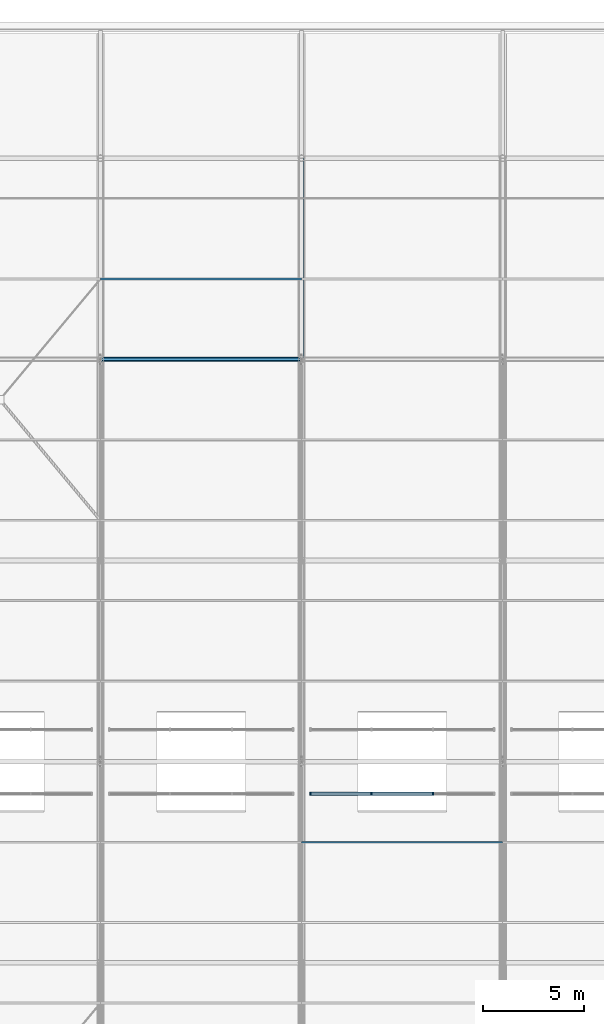
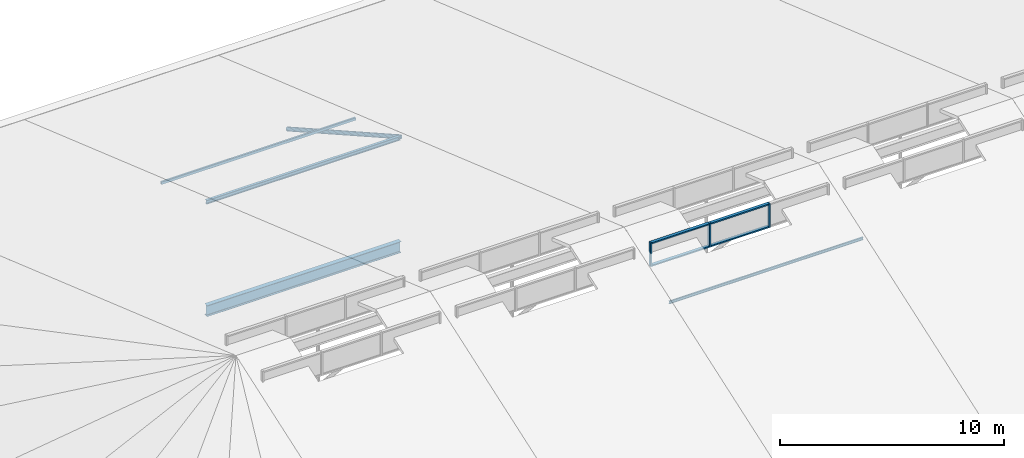
# One storey, part 36 of 93: 11 members, 1 beam, 1 element without a shape of its own.
"""IFC4 building model written with IfcOpenShell, lengths in metres."""

import ifcopenshell
import ifcopenshell.guid

model = None  # the IFC model being written
_history = None  # IfcOwnerHistory: only IFC2X3 demands one
_inside = {}  # id of a spatial element -> (the spatial element, [elements in it])
_under = {}  # id of a project, library or spatial element -> (it, [spatial elements below it])
_declared = {}  # id of a project -> (the project, [libraries it declares])
_typed = {}  # id of a type object -> (the type object, [elements of that type])
_made_of = {}  # id of a material, layer set ... -> (it, [elements and type objects made of it])


def new_model(schema):
    """Start an empty IFC model of exactly this schema.

    Asked for "IFC4X3", IfcOpenShell would pick the latest addendum, in which some entities
    have other attributes; the version numbers below select the first issue.
    IFC2X3 requires an IfcOwnerHistory on every rooted entity: one is made here for all.
    """
    global model, _history
    if schema == "IFC4X3":
        model = ifcopenshell.file(schema_version=(4, 3, 0, 0))
    else:
        model = ifcopenshell.file(schema=schema)
    _inside.clear()
    _under.clear()
    _declared.clear()
    _typed.clear()
    _made_of.clear()
    _history = None
    if model.schema == "IFC2X3":
        org = make("IfcOrganization", Name="unknown")
        user = make(
            "IfcPersonAndOrganization",
            ThePerson=make("IfcPerson", FamilyName="unknown"),
            TheOrganization=org,
        )
        app = make(
            "IfcApplication",
            ApplicationDeveloper=org,
            Version="unknown",
            ApplicationFullName="unknown",
            ApplicationIdentifier="unknown",
        )
        _history = make(
            "IfcOwnerHistory",
            OwningUser=user,
            OwningApplication=app,
            ChangeAction="ADDED",
            CreationDate=0,
        )
    return model


def make(cls, **values):
    """One entity of the class cls with the attributes given. An attribute that is None is left unset."""
    return model.create_entity(
        cls, **{name: value for name, value in values.items() if value is not None}
    )


def rooted(cls, **values):
    """An entity with a GlobalId (a new one), such as an element, a storey or a relation."""
    return make(cls, GlobalId=ifcopenshell.guid.new(), OwnerHistory=_history, **values)


def si_unit(unit_type, name, prefix=None):
    """IfcSIUnit, for example si_unit("LENGTHUNIT", "METRE", prefix="MILLI")."""
    return make("IfcSIUnit", UnitType=unit_type, Prefix=prefix, Name=name)


def derived_unit(unit_type, elements):
    """IfcDerivedUnit: a product of units, each with its exponent."""
    return make(
        "IfcDerivedUnit",
        Elements=[
            make("IfcDerivedUnitElement", Unit=unit, Exponent=power)
            for unit, power in elements
        ],
        UnitType=unit_type,
    )


def assignment(units):
    """IfcUnitAssignment: the units of a project."""
    return None if units is None else make("IfcUnitAssignment", Units=units)


def point(xyz):
    """IfcCartesianPoint."""
    return None if xyz is None else make("IfcCartesianPoint", Coordinates=xyz)


def direction(xyz):
    """IfcDirection."""
    return None if xyz is None else make("IfcDirection", DirectionRatios=xyz)


def frame(location, z_axis=None, x_axis=None):
    """IfcAxis2Placement3D, a coordinate frame: its origin and axes. An axis left out is left unset."""
    return make(
        "IfcAxis2Placement3D",
        Location=point(location),
        Axis=direction(z_axis),
        RefDirection=direction(x_axis),
    )


def frame_2d(location, x_axis=None):
    """IfcAxis2Placement2D, a coordinate frame in the plane: its origin and x axis."""
    return make(
        "IfcAxis2Placement2D", Location=point(location), RefDirection=direction(x_axis)
    )


def origin():
    """The frame at (0, 0, 0) with its axes left unset."""
    return frame((0.0, 0.0, 0.0))


def origin_2d_with_axis():
    """The frame at (0, 0) in the plane with the x axis (1, 0) written out."""
    return frame_2d((0.0, 0.0), x_axis=(1.0, 0.0))


def place(relative_to, where):
    """IfcLocalPlacement: puts the frame where relative to a parent placement (None: the world)."""
    return make(
        "IfcLocalPlacement", PlacementRelTo=relative_to, RelativePlacement=where
    )


def context(
    kind, dimensions, precision=None, world=None, true_north=None, identifier=None
):
    """IfcGeometricRepresentationContext, for example the 3D "Model" context."""
    return make(
        "IfcGeometricRepresentationContext",
        ContextIdentifier=identifier,
        ContextType=kind,
        CoordinateSpaceDimension=dimensions,
        Precision=precision,
        WorldCoordinateSystem=world,
        TrueNorth=true_north,
    )


def subcontext(parent, identifier, kind, view, scale=None):
    """IfcGeometricRepresentationSubContext, for example "Body" below "Model"."""
    return make(
        "IfcGeometricRepresentationSubContext",
        ContextIdentifier=identifier,
        ContextType=kind,
        ParentContext=parent,
        TargetScale=scale,
        TargetView=view,
    )


def project(units=None, contexts=None):
    """IfcProject with its units and contexts."""
    return rooted(
        "IfcProject",
        Name="project",
        RepresentationContexts=contexts,
        UnitsInContext=assignment(units),
    )


def spatial(cls, under=None, at=None, **own):
    """A site, building, storey or space (cls), placed at a placement, below another one or the project."""
    s = rooted(cls, ObjectPlacement=at, **own)
    if under is not None:
        _under.setdefault(under.id(), (under, []))[1].append(s)
    return s


def profile(cls, at=None, kind="AREA", **sizes):
    """A parametric profile (cls). Its sizes go by their IFC names, for example OverallWidth=200.0."""
    return make(cls, ProfileType=kind, Position=at, **sizes)


def rectangle(**sizes):
    """IfcRectangleProfileDef."""
    return profile("IfcRectangleProfileDef", **sizes)


def hollow_rectangle(**sizes):
    """IfcRectangleHollowProfileDef."""
    return profile("IfcRectangleHollowProfileDef", **sizes)


def hollow_circle(**sizes):
    """IfcCircleHollowProfileDef."""
    return profile("IfcCircleHollowProfileDef", **sizes)


def i_section(**sizes):
    """IfcIShapeProfileDef."""
    return profile("IfcIShapeProfileDef", **sizes)


def extrude(swept, where, along, depth):
    """IfcExtrudedAreaSolid: the profile swept, set in the frame where, extruded along a direction by depth."""
    return make(
        "IfcExtrudedAreaSolid",
        SweptArea=swept,
        Position=where,
        ExtrudedDirection=direction(along),
        Depth=depth,
    )


def shape(context_of_items, identifier, shape_type, items):
    """IfcShapeRepresentation: the items that make up one representation, for example the "Body"."""
    return make(
        "IfcShapeRepresentation",
        ContextOfItems=context_of_items,
        RepresentationIdentifier=identifier,
        RepresentationType=shape_type,
        Items=items,
    )


def material(Name=None, Category=None):
    """IfcMaterial."""
    return make("IfcMaterial", Name=Name, Category=Category)


def material_profile(
    of_material, cross_section, Name=None, Category=None, Priority=None
):
    """IfcMaterialProfile: a cross section and its material."""
    return make(
        "IfcMaterialProfile",
        Name=Name,
        Material=of_material,
        Profile=cross_section,
        Priority=Priority,
        Category=Category,
    )


def profile_set(profiles, Name=None, composite=None):
    """IfcMaterialProfileSet."""
    return make(
        "IfcMaterialProfileSet",
        Name=Name,
        MaterialProfiles=profiles,
        CompositeProfile=composite,
    )


def made_of(thing, what):
    """Note that an element or type object is made of a material, layer set ...; save() writes the relation."""
    if what is not None:
        _made_of.setdefault(what.id(), (what, []))[1].append(thing)
    return thing


def type_object(cls, material=None, **own):
    """A type object (cls), such as IfcWallType, which elements share."""
    return made_of(rooted(cls, **own), material)


def element(
    cls,
    number,
    at=None,
    inside=None,
    cuts=None,
    type_object=None,
    material=None,
    context=None,
    identifier="Body",
    shape_type=None,
    held_by="IfcProductDefinitionShape",
    body=None,
    shapes=None,
    **own,
):
    """One element of the class cls, such as IfcWall. Its Tag is "e" and its number.

    at: its placement. inside: the storey or other place that contains it. cuts: it is an
    opening in that element (IfcRelVoidsElement). A single representation is given by context,
    identifier, shape_type and body (its items); several are given by shapes. held_by: the class
    of the entity that holds the representations. save() writes the other relations.
    """
    e = rooted(cls, Tag="e%d" % number, ObjectPlacement=at, **own)
    if body is not None:
        shapes = [shape(context, identifier, shape_type, body)]
    if shapes is not None:
        e.Representation = make(held_by, Representations=shapes)
    if inside is not None:
        _inside.setdefault(inside.id(), (inside, []))[1].append(e)
    if cuts is not None:
        rooted(
            "IfcRelVoidsElement", RelatingBuildingElement=cuts, RelatedOpeningElement=e
        )
    if type_object is not None:
        _typed.setdefault(type_object.id(), (type_object, []))[1].append(e)
    return made_of(e, material)


def aggregate(whole, parts):
    """IfcRelAggregates: a whole, such as a stair, and the parts it consists of."""
    return rooted("IfcRelAggregates", RelatingObject=whole, RelatedObjects=parts)


def save(model, path):
    """Write the relations noted so far, then the file.

    IfcRelAggregates (storeys below a building ...), IfcRelContainedInSpatialStructure (elements
    in a storey), IfcRelDefinesByType, IfcRelAssociatesMaterial and IfcRelDeclares: one each for
    every whole, place, type object, material and project.
    """
    for whole, parts in _under.values():
        aggregate(whole, parts)
    for where, things in _inside.values():
        rooted(
            "IfcRelContainedInSpatialStructure",
            RelatedElements=things,
            RelatingStructure=where,
        )
    for kind, things in _typed.values():
        rooted("IfcRelDefinesByType", RelatedObjects=things, RelatingType=kind)
    for what, things in _made_of.values():
        rooted("IfcRelAssociatesMaterial", RelatedObjects=things, RelatingMaterial=what)
    for by, libraries in _declared.values():
        rooted("IfcRelDeclares", RelatingContext=by, RelatedDefinitions=libraries)
    model.write(path)


model = new_model("IFC4")

# Units and contexts
model_context = context("Model", 3, precision=1e-05, world=origin(), true_north=direction((0.0, 1.0)))
body_context = subcontext(model_context, "Body", "Model", "MODEL_VIEW")
ifc_project = project(units=[si_unit("LENGTHUNIT", "METRE"), si_unit("AREAUNIT", "SQUARE_METRE"), si_unit("VOLUMEUNIT", "CUBIC_METRE"), si_unit("PLANEANGLEUNIT", "RADIAN"), si_unit("MASSUNIT", "GRAM", prefix="KILO"), derived_unit("THERMALTRANSMITTANCEUNIT", [(si_unit("POWERUNIT", "WATT"), 1), (si_unit("LENGTHUNIT", "METRE"), -2), (si_unit("THERMODYNAMICTEMPERATUREUNIT", "KELVIN"), -1)])], contexts=[model_context])

# Site, building, storey
site_placement = place(None, origin())
site = spatial("IfcSite", under=ifc_project, at=site_placement, CompositionType="ELEMENT")
building_placement = place(site_placement, origin())
building = spatial("IfcBuilding", under=site, at=building_placement, Name="Cinnabar Yard Market Hall", CompositionType="ELEMENT")
storey_placement = place(building_placement, frame((0.0, 0.0, 23.800048828125)))
storey = spatial("IfcBuildingStorey", under=building, at=storey_placement, Name="ROOF", CompositionType="ELEMENT", Elevation=23.800048828125)

# Beam
ifc_material_1 = material(Name="Steel Grade 300 (300 MPa)", Category="steel")
ifc_material_profile_1 = material_profile(ifc_material_1, i_section(OverallWidth=0.22802734375, OverallDepth=0.60205078125, WebThickness=0.010498046875, FlangeThickness=0.014892578125, FilletRadius=0.013916015625, at=origin_2d_with_axis()), Name="610UB101")
ifc_profile_set_1 = profile_set([ifc_material_profile_1], Name="Steel Grade 300 (300 MPa)")
beam_type = type_object("IfcBeamType", Name="BM-B02", PredefinedType="BEAM", material=ifc_profile_set_1)
beam_placement = place(storey_placement, frame((96.0, 64.0, -9.700927734375), z_axis=(1.0, 0.0, 0.0), x_axis=(0.0, 1.0, 0.0)))
element("IfcBeam", 1, at=beam_placement, inside=storey, type_object=beam_type, Name="Hall Longitudinal Tie Girder 00406", PredefinedType="BEAM", context=body_context, shape_type="SweptSolid", body=[
    extrude(i_section(OverallWidth=0.22802734375, OverallDepth=0.60205078125, WebThickness=0.010498046875, FlangeThickness=0.014892578125, FilletRadius=0.013916015625, at=origin_2d_with_axis()), origin(), (0.0, 0.0, 1.0), 10.0),
])

# Curtain wall, members
ifc_material_2 = material(Name="Anodised aluminium ridge clerestory", Category="aluminium")
curtain_wall_type = type_object("IfcCurtainWallType", Name="CW-CWR092x13", PredefinedType="NOTDEFINED", material=ifc_material_2)
curtain_wall_placement = place(storey_placement, origin())
curtain_wall = element("IfcCurtainWall", 2, at=curtain_wall_placement, inside=storey, type_object=curtain_wall_type, Name="South Ridge Clerestory 3", PredefinedType="NOTDEFINED")
ifc_material_3 = material(Name="Anodised bronze aluminium", Category="aluminium")
ifc_material_profile_2 = material_profile(ifc_material_3, rectangle(XDim=0.159912109375, YDim=0.070068359375, at=origin_2d_with_axis()), Name="MUL-CWR")
ifc_profile_set_2 = profile_set([ifc_material_profile_2], Name="Anodised bronze aluminium")
member_type_1 = type_object("IfcMemberType", Name="CWM-CWR", PredefinedType="MULLION", material=ifc_profile_set_2)
member_1_placement = place(storey_placement, frame((106.43505859375, 42.39990234375, 2.14990234375), z_axis=(0.0, 0.0, 1.0), x_axis=(0.0, 1.0, 0.0)))
member_1 = element("IfcMember", 3, at=member_1_placement, type_object=member_type_1, Name="CWR092x13 mullion 1", PredefinedType="MULLION", context=body_context, shape_type="SweptSolid", body=[
    extrude(rectangle(XDim=0.159912109375, YDim=0.070068359375, at=origin_2d_with_axis()), origin(), (0.0, 0.0, 1.0), 1.300048828125),
])
member_2_placement = place(storey_placement, frame((109.466552734375, 42.39990234375, 2.14990234375), z_axis=(0.0, 0.0, 1.0), x_axis=(0.0, 1.0, 0.0)))
member_2 = element("IfcMember", 4, at=member_2_placement, type_object=member_type_1, Name="CWR092x13 mullion 2", PredefinedType="MULLION", context=body_context, shape_type="SweptSolid", body=[
    extrude(rectangle(XDim=0.159912109375, YDim=0.070068359375, at=origin_2d_with_axis()), origin(), (0.0, 0.0, 1.0), 1.300048828125),
])
member_3_placement = place(storey_placement, frame((112.533447265625, 42.39990234375, 2.14990234375), z_axis=(0.0, 0.0, 1.0), x_axis=(0.0, 1.0, 0.0)))
member_3 = element("IfcMember", 5, at=member_3_placement, type_object=member_type_1, Name="CWR092x13 mullion 3", PredefinedType="MULLION", context=body_context, shape_type="SweptSolid", body=[
    extrude(rectangle(XDim=0.159912109375, YDim=0.070068359375, at=origin_2d_with_axis()), origin(), (0.0, 0.0, 1.0), 1.300048828125),
])
ifc_material_profile_3 = material_profile(ifc_material_3, rectangle(XDim=0.159912109375, YDim=0.070068359375, at=origin_2d_with_axis()), Name="TRN-CWR")
ifc_profile_set_3 = profile_set([ifc_material_profile_3], Name="Anodised bronze aluminium")
member_type_2 = type_object("IfcMemberType", Name="CWT-CWR", PredefinedType="USERDEFINED", material=ifc_profile_set_3)
member_4_placement = place(storey_placement, frame((106.469970703125, 42.39990234375, 2.18505859375), z_axis=(1.0, 0.0, 0.0), x_axis=(0.0, 1.0, 0.0)))
member_4 = element("IfcMember", 6, at=member_4_placement, type_object=member_type_2, Name="CWR092x13 transom 1.1", ObjectType="TRANSOM", PredefinedType="USERDEFINED", context=body_context, shape_type="SweptSolid", body=[
    extrude(rectangle(XDim=0.159912109375, YDim=0.070068359375, at=origin_2d_with_axis()), origin(), (0.0, 0.0, 1.0), 2.961669921875),
])
member_5_placement = place(storey_placement, frame((106.469970703125, 42.39990234375, 3.4150390625), z_axis=(1.0, 0.0, 0.0), x_axis=(0.0, 1.0, 0.0)))
member_5 = element("IfcMember", 7, at=member_5_placement, type_object=member_type_2, Name="CWR092x13 transom 1.2", ObjectType="TRANSOM", PredefinedType="USERDEFINED", context=body_context, shape_type="SweptSolid", body=[
    extrude(rectangle(XDim=0.159912109375, YDim=0.070068359375, at=origin_2d_with_axis()), origin(), (0.0, 0.0, 1.0), 2.961669921875),
])
member_6_placement = place(storey_placement, frame((109.501708984375, 42.39990234375, 2.18505859375), z_axis=(1.0, 0.0, 0.0), x_axis=(0.0, 1.0, 0.0)))
member_6 = element("IfcMember", 8, at=member_6_placement, type_object=member_type_2, Name="CWR092x13 transom 2.1", ObjectType="TRANSOM", PredefinedType="USERDEFINED", context=body_context, shape_type="SweptSolid", body=[
    extrude(rectangle(XDim=0.159912109375, YDim=0.070068359375, at=origin_2d_with_axis()), origin(), (0.0, 0.0, 1.0), 2.99658203125),
])
member_7_placement = place(storey_placement, frame((109.501708984375, 42.39990234375, 3.4150390625), z_axis=(1.0, 0.0, 0.0), x_axis=(0.0, 1.0, 0.0)))
member_7 = element("IfcMember", 9, at=member_7_placement, type_object=member_type_2, Name="CWR092x13 transom 2.2", ObjectType="TRANSOM", PredefinedType="USERDEFINED", context=body_context, shape_type="SweptSolid", body=[
    extrude(rectangle(XDim=0.159912109375, YDim=0.070068359375, at=origin_2d_with_axis()), origin(), (0.0, 0.0, 1.0), 2.99658203125),
])
aggregate(curtain_wall, [member_1, member_2, member_3, member_4, member_5, member_6, member_7])

# Members
ifc_material_4 = material(Name="Cold-formed steel C350L0", Category="steel")
ifc_material_profile_4 = material_profile(ifc_material_4, hollow_circle(Radius=0.109619140625, WallThickness=0.00830078125, at=origin_2d_with_axis()), Name="219.1x8.2CHS")
ifc_profile_set_4 = profile_set([ifc_material_profile_4], Name="Cold-formed steel C350L0")
member_type_3 = type_object("IfcMemberType", Name="MB-DG01", PredefinedType="BRACE", material=ifc_profile_set_4)
member_8_placement = place(storey_placement, frame((106.0, 64.0, -3.76123046875), z_axis=(0.0, 0.871057093215, -0.491181779345), x_axis=(-1.0, 0.0, 0.0)))
element("IfcMember", 10, at=member_8_placement, inside=storey, type_object=member_type_3, Name="Hall Truss 106 Diagonal 6", PredefinedType="BRACE", context=body_context, shape_type="SweptSolid", body=[
    extrude(hollow_circle(Radius=0.109619140625, WallThickness=0.00830078125, at=origin_2d_with_axis()), origin(), (0.0, 0.0, 1.0), 11.480224609375),
])
ifc_material_profile_5 = material_profile(ifc_material_1, i_section(OverallWidth=0.134033203125, OverallDepth=0.20703125, WebThickness=0.00634765625, FlangeThickness=0.009521484375, FilletRadius=0.0087890625, at=origin_2d_with_axis()), Name="200UB29.8")
ifc_profile_set_5 = profile_set([ifc_material_profile_5], Name="Steel Grade 300 (300 MPa)")
member_type_4 = type_object("IfcMemberType", Name="MB-PU02", PredefinedType="PURLIN", material=ifc_profile_set_5)
member_9_placement = place(storey_placement, frame((96.0, 64.0, -3.80126953125), z_axis=(1.0, 0.0, 0.0), x_axis=(0.0, 1.0, 0.0)))
element("IfcMember", 11, at=member_9_placement, inside=storey, type_object=member_type_4, Name="Hall Roof Purlin Y64 X96", PredefinedType="PURLIN", context=body_context, shape_type="SweptSolid", body=[
    extrude(i_section(OverallWidth=0.134033203125, OverallDepth=0.20703125, WebThickness=0.00634765625, FlangeThickness=0.009521484375, FilletRadius=0.0087890625, at=origin_2d_with_axis()), origin(), (0.0, 0.0, 1.0), 10.0),
])
ifc_material_profile_6 = material_profile(ifc_material_4, hollow_rectangle(XDim=0.10009765625, YDim=0.14990234375, WallThickness=0.0048828125, InnerFilletRadius=0.0048828125, OuterFilletRadius=0.010009765625, at=origin_2d_with_axis()), Name="150x100x5.0RHS")
ifc_profile_set_6 = profile_set([ifc_material_profile_6], Name="Cold-formed steel C350L0")
member_type_5 = type_object("IfcMemberType", Name="MB-PU03", PredefinedType="PURLIN", material=ifc_profile_set_6)
member_10_placement = place(storey_placement, frame((96.0, 68.0, -5.193603515625), z_axis=(1.0, 0.0, 0.0), x_axis=(0.0, 1.0, 0.0)))
element("IfcMember", 12, at=member_10_placement, inside=storey, type_object=member_type_5, Name="Hall Roof Purlin Y68 X96", PredefinedType="PURLIN", context=body_context, shape_type="SweptSolid", body=[
    extrude(hollow_rectangle(XDim=0.10009765625, YDim=0.14990234375, WallThickness=0.0048828125, InnerFilletRadius=0.0048828125, OuterFilletRadius=0.010009765625, at=origin_2d_with_axis()), origin(), (0.0, 0.0, 1.0), 10.0),
])
ifc_material_profile_7 = material_profile(ifc_material_1, i_section(OverallWidth=0.074951171875, OverallDepth=0.14990234375, WebThickness=0.0048828125, FlangeThickness=0.007080078125, FilletRadius=0.008056640625, at=origin_2d_with_axis()), Name="150UB14.0")
ifc_profile_set_7 = profile_set([ifc_material_profile_7], Name="Steel Grade 300 (300 MPa)")
member_type_6 = type_object("IfcMemberType", Name="MB-PU07", PredefinedType="PURLIN", material=ifc_profile_set_7)
member_11_placement = place(storey_placement, frame((106.0, 40.0, 1.767578125), z_axis=(1.0, 0.0, 0.0), x_axis=(0.0, 1.0, 0.0)))
element("IfcMember", 13, at=member_11_placement, inside=storey, type_object=member_type_6, Name="Hall Roof Purlin Y40 X106", PredefinedType="PURLIN", context=body_context, shape_type="SweptSolid", body=[
    extrude(i_section(OverallWidth=0.074951171875, OverallDepth=0.14990234375, WebThickness=0.0048828125, FlangeThickness=0.007080078125, FilletRadius=0.008056640625, at=origin_2d_with_axis()), origin(), (0.0, 0.0, 1.0), 10.0),
])

save(model, "model.ifc")
